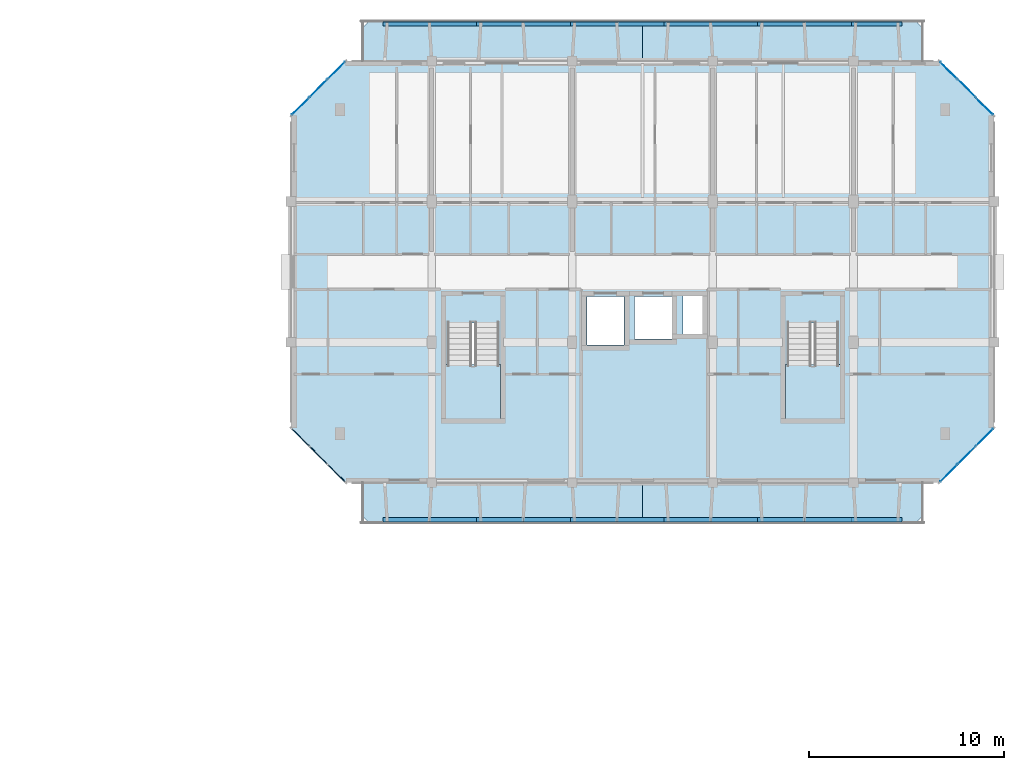
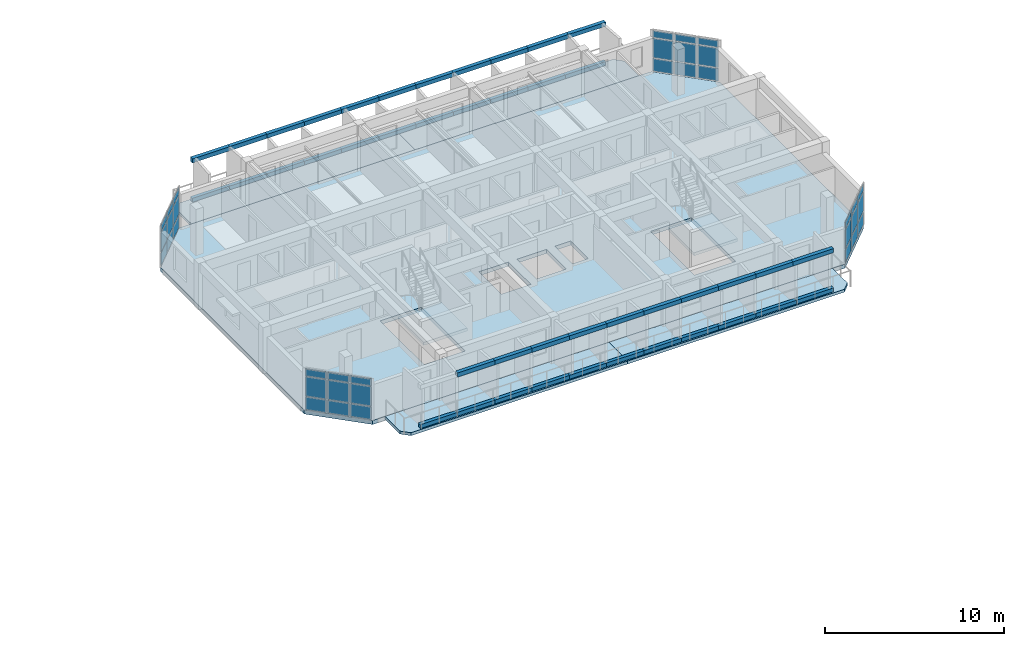
# One storey, part 14 of 40: 79 plates, 7 slabs, 6 elements without a shape of their own.
"""IFC4 building model written with IfcOpenShell, lengths in metres."""

from ifc_helpers import new_model, si_unit, direction, frame, origin, origin_2d, place, context, subcontext, project, spatial, polyline, rectangle, outline, extrude, material, layer, layer_set, type_object, element, aggregate, save


model = new_model("IFC4")

# Units and contexts
model_context = context("Model", 3, precision=1e-05, world=origin(), true_north=direction((0.0, 1.0)))
body_context = subcontext(model_context, "Body", "Model", "MODEL_VIEW")
ifc_project = project(units=[si_unit("LENGTHUNIT", "METRE"), si_unit("AREAUNIT", "SQUARE_METRE"), si_unit("VOLUMEUNIT", "CUBIC_METRE"), si_unit("PLANEANGLEUNIT", "RADIAN"), si_unit("MASSUNIT", "GRAM", prefix="KILO")], contexts=[model_context])

# Site, building, storey
site_placement = place(None, origin())
site = spatial("IfcSite", under=ifc_project, at=site_placement, CompositionType="ELEMENT")
building_placement = place(site_placement, origin())
building = spatial("IfcBuilding", under=site, at=building_placement, Name="Ochrevale Crest", CompositionType="ELEMENT")
storey_placement = place(building_placement, frame((0.0, 0.0, 27.60009765625)))
storey = spatial("IfcBuildingStorey", under=building, at=storey_placement, Name="L08", CompositionType="ELEMENT", Elevation=27.60009765625)

# Curtain wall, plates
ifc_material_1 = material(Name="Anodised aluminium 6063-T5", Category="aluminium")
ifc_layer_1 = layer(ifc_material_1, 0.14990234375)
ifc_layer_set_1 = layer_set([ifc_layer_1], Name="Anodised aluminium 6063-T5")
curtain_wall_type_1 = type_object("IfcCurtainWallType", Name="CW-WG-240x285", PredefinedType="NOTDEFINED", material=ifc_layer_set_1)
curtain_wall_1_placement = place(storey_placement, origin())
curtain_wall_1 = element("IfcCurtainWall", 1, at=curtain_wall_1_placement, inside=storey, type_object=curtain_wall_type_1, Name="Block D L08 chamfered corner wintergarden curtain wall 2", PredefinedType="NOTDEFINED")
ifc_material_2 = material(Name="Double-glazed low-E insulated glass unit", Category="glass")
ifc_layer_2 = layer(ifc_material_2, 0.028076171875)
ifc_layer_set_2 = layer_set([ifc_layer_2], Name="Double-glazed low-E insulated glass unit")
plate_type_1 = type_object("IfcPlateType", Name="CW-PNL-IGU28", PredefinedType="CURTAIN_PANEL", material=ifc_layer_set_2)
plate_1_placement = place(storey_placement, frame((163.280029296875, 72.47998046875, 0.06005859375), z_axis=(0.0, 0.0, 1.0), x_axis=(0.707106781187, 0.707106781187, 0.0)))
plate_1 = element("IfcPlate", 2, at=plate_1_placement, type_object=plate_type_1, Name="CW15 panel 1.1", PredefinedType="CURTAIN_PANEL", context=body_context, shape_type="SweptSolid", body=[
    extrude(rectangle(XDim=1.20751953125, YDim=0.028076171875, at=origin_2d()), origin(), (0.0, 0.0, 1.0), 0.860107421875),
])
plate_2_placement = place(storey_placement, frame((163.280029296875, 72.47998046875, 0.97998046875), z_axis=(0.0, 0.0, 1.0), x_axis=(0.707106781187, 0.707106781187, 0.0)))
plate_2 = element("IfcPlate", 3, at=plate_2_placement, type_object=plate_type_1, Name="CW15 panel 1.2", PredefinedType="CURTAIN_PANEL", context=body_context, shape_type="SweptSolid", body=[
    extrude(rectangle(XDim=1.20751953125, YDim=0.028076171875, at=origin_2d()), origin(), (0.0, 0.0, 1.0), 1.31494140625),
])
plate_3_placement = place(storey_placement, frame((163.280029296875, 72.47998046875, 2.35498046875), z_axis=(0.0, 0.0, 1.0), x_axis=(0.707106781187, 0.707106781187, 0.0)))
plate_3 = element("IfcPlate", 4, at=plate_3_placement, type_object=plate_type_1, Name="CW15 panel 1.3", PredefinedType="CURTAIN_PANEL", context=body_context, shape_type="SweptSolid", body=[
    extrude(rectangle(XDim=1.20751953125, YDim=0.028076171875, at=origin_2d()), origin(), (0.0, 0.0, 1.0), 0.4599609375),
])
plate_4_placement = place(storey_placement, frame((164.199951171875, 73.39990234375, 0.06005859375), z_axis=(0.0, 0.0, 1.0), x_axis=(0.707106781187, 0.707106781187, 0.0)))
plate_4 = element("IfcPlate", 5, at=plate_4_placement, type_object=plate_type_1, Name="CW15 panel 2.1", PredefinedType="CURTAIN_PANEL", context=body_context, shape_type="SweptSolid", body=[
    extrude(rectangle(XDim=1.244873046875, YDim=0.028076171875, at=origin_2d()), origin(), (0.0, 0.0, 1.0), 0.860107421875),
])
plate_5_placement = place(storey_placement, frame((164.199951171875, 73.39990234375, 0.97998046875), z_axis=(0.0, 0.0, 1.0), x_axis=(0.707106781187, 0.707106781187, 0.0)))
plate_5 = element("IfcPlate", 6, at=plate_5_placement, type_object=plate_type_1, Name="CW15 panel 2.2", PredefinedType="CURTAIN_PANEL", context=body_context, shape_type="SweptSolid", body=[
    extrude(rectangle(XDim=1.244873046875, YDim=0.028076171875, at=origin_2d()), origin(), (0.0, 0.0, 1.0), 1.31494140625),
])
plate_6_placement = place(storey_placement, frame((164.199951171875, 73.39990234375, 2.35498046875), z_axis=(0.0, 0.0, 1.0), x_axis=(0.707106781187, 0.707106781187, 0.0)))
plate_6 = element("IfcPlate", 7, at=plate_6_placement, type_object=plate_type_1, Name="CW15 panel 2.3", PredefinedType="CURTAIN_PANEL", context=body_context, shape_type="SweptSolid", body=[
    extrude(rectangle(XDim=1.244873046875, YDim=0.028076171875, at=origin_2d()), origin(), (0.0, 0.0, 1.0), 0.4599609375),
])
plate_7_placement = place(storey_placement, frame((165.1201171875, 74.320068359375, 0.06005859375), z_axis=(0.0, 0.0, 1.0), x_axis=(0.707106781187, 0.707106781187, 0.0)))
plate_7 = element("IfcPlate", 8, at=plate_7_placement, type_object=plate_type_1, Name="CW15 panel 3.1", PredefinedType="CURTAIN_PANEL", context=body_context, shape_type="SweptSolid", body=[
    extrude(rectangle(XDim=1.20751953125, YDim=0.028076171875, at=origin_2d()), origin(), (0.0, 0.0, 1.0), 0.860107421875),
])
plate_8_placement = place(storey_placement, frame((165.1201171875, 74.320068359375, 0.97998046875), z_axis=(0.0, 0.0, 1.0), x_axis=(0.707106781187, 0.707106781187, 0.0)))
plate_8 = element("IfcPlate", 9, at=plate_8_placement, type_object=plate_type_1, Name="CW15 panel 3.2", PredefinedType="CURTAIN_PANEL", context=body_context, shape_type="SweptSolid", body=[
    extrude(rectangle(XDim=1.20751953125, YDim=0.028076171875, at=origin_2d()), origin(), (0.0, 0.0, 1.0), 1.31494140625),
])
plate_9_placement = place(storey_placement, frame((165.1201171875, 74.320068359375, 2.35498046875), z_axis=(0.0, 0.0, 1.0), x_axis=(0.707106781187, 0.707106781187, 0.0)))
plate_9 = element("IfcPlate", 10, at=plate_9_placement, type_object=plate_type_1, Name="CW15 panel 3.3", PredefinedType="CURTAIN_PANEL", context=body_context, shape_type="SweptSolid", body=[
    extrude(rectangle(XDim=1.20751953125, YDim=0.028076171875, at=origin_2d()), origin(), (0.0, 0.0, 1.0), 0.4599609375),
])
aggregate(curtain_wall_1, [plate_1, plate_2, plate_3, plate_4, plate_5, plate_6, plate_7, plate_8, plate_9])

ifc_layer_3 = layer(ifc_material_1, 0.14990234375)
ifc_layer_set_3 = layer_set([ifc_layer_3], Name="Anodised aluminium 6063-T5")
curtain_wall_type_2 = type_object("IfcCurtainWallType", Name="CW-WG-320x285", PredefinedType="NOTDEFINED", material=ifc_layer_set_3)
curtain_wall_2_placement = place(storey_placement, origin())
curtain_wall_2 = element("IfcCurtainWall", 11, at=curtain_wall_2_placement, inside=storey, type_object=curtain_wall_type_2, Name="Block D L08 chamfered corner wintergarden curtain wall 4", PredefinedType="NOTDEFINED")
plate_10_placement = place(storey_placement, frame((165.1201171875, 91.280029296875, 0.06005859375), z_axis=(0.0, 0.0, 1.0), x_axis=(-0.707106781187, 0.707106781187, 0.0)))
plate_10 = element("IfcPlate", 12, at=plate_10_placement, type_object=plate_type_1, Name="CW17 panel 1.1", PredefinedType="CURTAIN_PANEL", context=body_context, shape_type="SweptSolid", body=[
    extrude(rectangle(XDim=1.20751953125, YDim=0.028076171875, at=origin_2d()), origin(), (0.0, 0.0, 1.0), 0.860107421875),
])
plate_11_placement = place(storey_placement, frame((165.1201171875, 91.280029296875, 0.97998046875), z_axis=(0.0, 0.0, 1.0), x_axis=(-0.707106781187, 0.707106781187, 0.0)))
plate_11 = element("IfcPlate", 13, at=plate_11_placement, type_object=plate_type_1, Name="CW17 panel 1.2", PredefinedType="CURTAIN_PANEL", context=body_context, shape_type="SweptSolid", body=[
    extrude(rectangle(XDim=1.20751953125, YDim=0.028076171875, at=origin_2d()), origin(), (0.0, 0.0, 1.0), 1.31494140625),
])
plate_12_placement = place(storey_placement, frame((165.1201171875, 91.280029296875, 2.35498046875), z_axis=(0.0, 0.0, 1.0), x_axis=(-0.707106781187, 0.707106781187, 0.0)))
plate_12 = element("IfcPlate", 14, at=plate_12_placement, type_object=plate_type_1, Name="CW17 panel 1.3", PredefinedType="CURTAIN_PANEL", context=body_context, shape_type="SweptSolid", body=[
    extrude(rectangle(XDim=1.20751953125, YDim=0.028076171875, at=origin_2d()), origin(), (0.0, 0.0, 1.0), 0.4599609375),
])
plate_13_placement = place(storey_placement, frame((164.199951171875, 92.199951171875, 0.06005859375), z_axis=(0.0, 0.0, 1.0), x_axis=(-0.707106781187, 0.707106781187, 0.0)))
plate_13 = element("IfcPlate", 15, at=plate_13_placement, type_object=plate_type_1, Name="CW17 panel 2.1", PredefinedType="CURTAIN_PANEL", context=body_context, shape_type="SweptSolid", body=[
    extrude(rectangle(XDim=1.244873046875, YDim=0.028076171875, at=origin_2d()), origin(), (0.0, 0.0, 1.0), 0.860107421875),
])
plate_14_placement = place(storey_placement, frame((164.199951171875, 92.199951171875, 0.97998046875), z_axis=(0.0, 0.0, 1.0), x_axis=(-0.707106781187, 0.707106781187, 0.0)))
plate_14 = element("IfcPlate", 16, at=plate_14_placement, type_object=plate_type_1, Name="CW17 panel 2.2", PredefinedType="CURTAIN_PANEL", context=body_context, shape_type="SweptSolid", body=[
    extrude(rectangle(XDim=1.244873046875, YDim=0.028076171875, at=origin_2d()), origin(), (0.0, 0.0, 1.0), 1.31494140625),
])
plate_15_placement = place(storey_placement, frame((164.199951171875, 92.199951171875, 2.35498046875), z_axis=(0.0, 0.0, 1.0), x_axis=(-0.707106781187, 0.707106781187, 0.0)))
plate_15 = element("IfcPlate", 17, at=plate_15_placement, type_object=plate_type_1, Name="CW17 panel 2.3", PredefinedType="CURTAIN_PANEL", context=body_context, shape_type="SweptSolid", body=[
    extrude(rectangle(XDim=1.244873046875, YDim=0.028076171875, at=origin_2d()), origin(), (0.0, 0.0, 1.0), 0.4599609375),
])
plate_16_placement = place(storey_placement, frame((163.280029296875, 93.1201171875, 0.06005859375), z_axis=(0.0, 0.0, 1.0), x_axis=(-0.707106781187, 0.707106781187, 0.0)))
plate_16 = element("IfcPlate", 18, at=plate_16_placement, type_object=plate_type_1, Name="CW17 panel 3.1", PredefinedType="CURTAIN_PANEL", context=body_context, shape_type="SweptSolid", body=[
    extrude(rectangle(XDim=1.20751953125, YDim=0.028076171875, at=origin_2d()), origin(), (0.0, 0.0, 1.0), 0.860107421875),
])
plate_17_placement = place(storey_placement, frame((163.280029296875, 93.1201171875, 0.97998046875), z_axis=(0.0, 0.0, 1.0), x_axis=(-0.707106781187, 0.707106781187, 0.0)))
plate_17 = element("IfcPlate", 19, at=plate_17_placement, type_object=plate_type_1, Name="CW17 panel 3.2", PredefinedType="CURTAIN_PANEL", context=body_context, shape_type="SweptSolid", body=[
    extrude(rectangle(XDim=1.20751953125, YDim=0.028076171875, at=origin_2d()), origin(), (0.0, 0.0, 1.0), 1.31494140625),
])
plate_18_placement = place(storey_placement, frame((163.280029296875, 93.1201171875, 2.35498046875), z_axis=(0.0, 0.0, 1.0), x_axis=(-0.707106781187, 0.707106781187, 0.0)))
plate_18 = element("IfcPlate", 20, at=plate_18_placement, type_object=plate_type_1, Name="CW17 panel 3.3", PredefinedType="CURTAIN_PANEL", context=body_context, shape_type="SweptSolid", body=[
    extrude(rectangle(XDim=1.20751953125, YDim=0.028076171875, at=origin_2d()), origin(), (0.0, 0.0, 1.0), 0.4599609375),
])
aggregate(curtain_wall_2, [plate_10, plate_11, plate_12, plate_13, plate_14, plate_15, plate_16, plate_17, plate_18])

ifc_layer_4 = layer(ifc_material_1, 0.14990234375)
ifc_layer_set_4 = layer_set([ifc_layer_4], Name="Anodised aluminium 6063-T5")
curtain_wall_type_3 = type_object("IfcCurtainWallType", Name="CW-WG-420x285", PredefinedType="NOTDEFINED", material=ifc_layer_set_4)
curtain_wall_3_placement = place(storey_placement, origin())
curtain_wall_3 = element("IfcCurtainWall", 21, at=curtain_wall_3_placement, inside=storey, type_object=curtain_wall_type_3, Name="Block D L08 chamfered corner wintergarden curtain wall 6", PredefinedType="NOTDEFINED")
plate_19_placement = place(storey_placement, frame((131.920166015625, 93.1201171875, 0.06005859375), z_axis=(0.0, 0.0, 1.0), x_axis=(-0.707106781187, -0.707106781187, 0.0)))
plate_19 = element("IfcPlate", 22, at=plate_19_placement, type_object=plate_type_1, Name="CW22 panel 1.1", PredefinedType="CURTAIN_PANEL", context=body_context, shape_type="SweptSolid", body=[
    extrude(rectangle(XDim=1.20751953125, YDim=0.028076171875, at=origin_2d()), origin(), (0.0, 0.0, 1.0), 0.860107421875),
])
plate_20_placement = place(storey_placement, frame((131.920166015625, 93.1201171875, 0.97998046875), z_axis=(0.0, 0.0, 1.0), x_axis=(-0.707106781187, -0.707106781187, 0.0)))
plate_20 = element("IfcPlate", 23, at=plate_20_placement, type_object=plate_type_1, Name="CW22 panel 1.2", PredefinedType="CURTAIN_PANEL", context=body_context, shape_type="SweptSolid", body=[
    extrude(rectangle(XDim=1.20751953125, YDim=0.028076171875, at=origin_2d()), origin(), (0.0, 0.0, 1.0), 1.31494140625),
])
plate_21_placement = place(storey_placement, frame((131.920166015625, 93.1201171875, 2.35498046875), z_axis=(0.0, 0.0, 1.0), x_axis=(-0.707106781187, -0.707106781187, 0.0)))
plate_21 = element("IfcPlate", 24, at=plate_21_placement, type_object=plate_type_1, Name="CW22 panel 1.3", PredefinedType="CURTAIN_PANEL", context=body_context, shape_type="SweptSolid", body=[
    extrude(rectangle(XDim=1.20751953125, YDim=0.028076171875, at=origin_2d()), origin(), (0.0, 0.0, 1.0), 0.4599609375),
])
plate_22_placement = place(storey_placement, frame((131.0, 92.199951171875, 0.06005859375), z_axis=(0.0, 0.0, 1.0), x_axis=(-0.707106781187, -0.707106781187, 0.0)))
plate_22 = element("IfcPlate", 25, at=plate_22_placement, type_object=plate_type_1, Name="CW22 panel 2.1", PredefinedType="CURTAIN_PANEL", context=body_context, shape_type="SweptSolid", body=[
    extrude(rectangle(XDim=1.244873046875, YDim=0.028076171875, at=origin_2d()), origin(), (0.0, 0.0, 1.0), 0.860107421875),
])
plate_23_placement = place(storey_placement, frame((131.0, 92.199951171875, 0.97998046875), z_axis=(0.0, 0.0, 1.0), x_axis=(-0.707106781187, -0.707106781187, 0.0)))
plate_23 = element("IfcPlate", 26, at=plate_23_placement, type_object=plate_type_1, Name="CW22 panel 2.2", PredefinedType="CURTAIN_PANEL", context=body_context, shape_type="SweptSolid", body=[
    extrude(rectangle(XDim=1.244873046875, YDim=0.028076171875, at=origin_2d()), origin(), (0.0, 0.0, 1.0), 1.31494140625),
])
plate_24_placement = place(storey_placement, frame((131.0, 92.199951171875, 2.35498046875), z_axis=(0.0, 0.0, 1.0), x_axis=(-0.707106781187, -0.707106781187, 0.0)))
plate_24 = element("IfcPlate", 27, at=plate_24_placement, type_object=plate_type_1, Name="CW22 panel 2.3", PredefinedType="CURTAIN_PANEL", context=body_context, shape_type="SweptSolid", body=[
    extrude(rectangle(XDim=1.244873046875, YDim=0.028076171875, at=origin_2d()), origin(), (0.0, 0.0, 1.0), 0.4599609375),
])
plate_25_placement = place(storey_placement, frame((130.079833984375, 91.280029296875, 0.06005859375), z_axis=(0.0, 0.0, 1.0), x_axis=(-0.707106781187, -0.707106781187, 0.0)))
plate_25 = element("IfcPlate", 28, at=plate_25_placement, type_object=plate_type_1, Name="CW22 panel 3.1", PredefinedType="CURTAIN_PANEL", context=body_context, shape_type="SweptSolid", body=[
    extrude(rectangle(XDim=1.20751953125, YDim=0.028076171875, at=origin_2d()), origin(), (0.0, 0.0, 1.0), 0.860107421875),
])
plate_26_placement = place(storey_placement, frame((130.079833984375, 91.280029296875, 0.97998046875), z_axis=(0.0, 0.0, 1.0), x_axis=(-0.707106781187, -0.707106781187, 0.0)))
plate_26 = element("IfcPlate", 29, at=plate_26_placement, type_object=plate_type_1, Name="CW22 panel 3.2", PredefinedType="CURTAIN_PANEL", context=body_context, shape_type="SweptSolid", body=[
    extrude(rectangle(XDim=1.20751953125, YDim=0.028076171875, at=origin_2d()), origin(), (0.0, 0.0, 1.0), 1.31494140625),
])
plate_27_placement = place(storey_placement, frame((130.079833984375, 91.280029296875, 2.35498046875), z_axis=(0.0, 0.0, 1.0), x_axis=(-0.707106781187, -0.707106781187, 0.0)))
plate_27 = element("IfcPlate", 30, at=plate_27_placement, type_object=plate_type_1, Name="CW22 panel 3.3", PredefinedType="CURTAIN_PANEL", context=body_context, shape_type="SweptSolid", body=[
    extrude(rectangle(XDim=1.20751953125, YDim=0.028076171875, at=origin_2d()), origin(), (0.0, 0.0, 1.0), 0.4599609375),
])
aggregate(curtain_wall_3, [plate_19, plate_20, plate_21, plate_22, plate_23, plate_24, plate_25, plate_26, plate_27])

ifc_layer_5 = layer(ifc_material_1, 0.14990234375)
ifc_layer_set_5 = layer_set([ifc_layer_5], Name="Anodised aluminium 6063-T5")
curtain_wall_type_4 = type_object("IfcCurtainWallType", Name="CW-WG-280x285", PredefinedType="NOTDEFINED", material=ifc_layer_set_5)
curtain_wall_4_placement = place(storey_placement, origin())
curtain_wall_4 = element("IfcCurtainWall", 31, at=curtain_wall_4_placement, inside=storey, type_object=curtain_wall_type_4, Name="Block D L08 chamfered corner wintergarden curtain wall 8", PredefinedType="NOTDEFINED")
ifc_material_3 = material(Name="Acoustic laminated low-E insulated glass unit", Category="glass")
ifc_layer_6 = layer(ifc_material_3, 0.0380859375)
ifc_layer_set_6 = layer_set([ifc_layer_6], Name="Acoustic laminated low-E insulated glass unit")
plate_type_2 = type_object("IfcPlateType", Name="CW-PNL-IGU38", PredefinedType="CURTAIN_PANEL", material=ifc_layer_set_6)
plate_28_placement = place(storey_placement, frame((130.079833984375, 74.320068359375, 0.06005859375), z_axis=(0.0, 0.0, 1.0), x_axis=(0.707106781187, -0.707106781187, 0.0)))
plate_28 = element("IfcPlate", 32, at=plate_28_placement, type_object=plate_type_2, Name="CW16 panel 1.1", PredefinedType="CURTAIN_PANEL", context=body_context, shape_type="SweptSolid", body=[
    extrude(rectangle(XDim=1.20751953125, YDim=0.0380859375, at=origin_2d()), origin(), (0.0, 0.0, 1.0), 0.860107421875),
])
plate_29_placement = place(storey_placement, frame((130.079833984375, 74.320068359375, 0.97998046875), z_axis=(0.0, 0.0, 1.0), x_axis=(0.707106781187, -0.707106781187, 0.0)))
plate_29 = element("IfcPlate", 33, at=plate_29_placement, type_object=plate_type_2, Name="CW16 panel 1.2", PredefinedType="CURTAIN_PANEL", context=body_context, shape_type="SweptSolid", body=[
    extrude(rectangle(XDim=1.20751953125, YDim=0.0380859375, at=origin_2d()), origin(), (0.0, 0.0, 1.0), 1.31494140625),
])
plate_30_placement = place(storey_placement, frame((130.079833984375, 74.320068359375, 2.35498046875), z_axis=(0.0, 0.0, 1.0), x_axis=(0.707106781187, -0.707106781187, 0.0)))
plate_30 = element("IfcPlate", 34, at=plate_30_placement, type_object=plate_type_2, Name="CW16 panel 1.3", PredefinedType="CURTAIN_PANEL", context=body_context, shape_type="SweptSolid", body=[
    extrude(rectangle(XDim=1.20751953125, YDim=0.0380859375, at=origin_2d()), origin(), (0.0, 0.0, 1.0), 0.4599609375),
])
plate_31_placement = place(storey_placement, frame((131.0, 73.39990234375, 0.06005859375), z_axis=(0.0, 0.0, 1.0), x_axis=(0.707106781187, -0.707106781187, 0.0)))
plate_31 = element("IfcPlate", 35, at=plate_31_placement, type_object=plate_type_2, Name="CW16 panel 2.1", PredefinedType="CURTAIN_PANEL", context=body_context, shape_type="SweptSolid", body=[
    extrude(rectangle(XDim=1.244873046875, YDim=0.0380859375, at=origin_2d()), origin(), (0.0, 0.0, 1.0), 0.860107421875),
])
plate_32_placement = place(storey_placement, frame((131.0, 73.39990234375, 0.97998046875), z_axis=(0.0, 0.0, 1.0), x_axis=(0.707106781187, -0.707106781187, 0.0)))
plate_32 = element("IfcPlate", 36, at=plate_32_placement, type_object=plate_type_2, Name="CW16 panel 2.2", PredefinedType="CURTAIN_PANEL", context=body_context, shape_type="SweptSolid", body=[
    extrude(rectangle(XDim=1.244873046875, YDim=0.0380859375, at=origin_2d()), origin(), (0.0, 0.0, 1.0), 1.31494140625),
])
plate_33_placement = place(storey_placement, frame((131.0, 73.39990234375, 2.35498046875), z_axis=(0.0, 0.0, 1.0), x_axis=(0.707106781187, -0.707106781187, 0.0)))
plate_33 = element("IfcPlate", 37, at=plate_33_placement, type_object=plate_type_2, Name="CW16 panel 2.3", PredefinedType="CURTAIN_PANEL", context=body_context, shape_type="SweptSolid", body=[
    extrude(rectangle(XDim=1.244873046875, YDim=0.0380859375, at=origin_2d()), origin(), (0.0, 0.0, 1.0), 0.4599609375),
])
plate_34_placement = place(storey_placement, frame((131.920166015625, 72.47998046875, 0.06005859375), z_axis=(0.0, 0.0, 1.0), x_axis=(0.707106781187, -0.707106781187, 0.0)))
plate_34 = element("IfcPlate", 38, at=plate_34_placement, type_object=plate_type_2, Name="CW16 panel 3.1", PredefinedType="CURTAIN_PANEL", context=body_context, shape_type="SweptSolid", body=[
    extrude(rectangle(XDim=1.20751953125, YDim=0.0380859375, at=origin_2d()), origin(), (0.0, 0.0, 1.0), 0.860107421875),
])
plate_35_placement = place(storey_placement, frame((131.920166015625, 72.47998046875, 0.97998046875), z_axis=(0.0, 0.0, 1.0), x_axis=(0.707106781187, -0.707106781187, 0.0)))
plate_35 = element("IfcPlate", 39, at=plate_35_placement, type_object=plate_type_2, Name="CW16 panel 3.2", PredefinedType="CURTAIN_PANEL", context=body_context, shape_type="SweptSolid", body=[
    extrude(rectangle(XDim=1.20751953125, YDim=0.0380859375, at=origin_2d()), origin(), (0.0, 0.0, 1.0), 1.31494140625),
])
plate_36_placement = place(storey_placement, frame((131.920166015625, 72.47998046875, 2.35498046875), z_axis=(0.0, 0.0, 1.0), x_axis=(0.707106781187, -0.707106781187, 0.0)))
plate_36 = element("IfcPlate", 40, at=plate_36_placement, type_object=plate_type_2, Name="CW16 panel 3.3", PredefinedType="CURTAIN_PANEL", context=body_context, shape_type="SweptSolid", body=[
    extrude(rectangle(XDim=1.20751953125, YDim=0.0380859375, at=origin_2d()), origin(), (0.0, 0.0, 1.0), 0.4599609375),
])
aggregate(curtain_wall_4, [plate_28, plate_29, plate_30, plate_31, plate_32, plate_33, plate_34, plate_35, plate_36])

# Plates
ifc_material_4 = material(Name="Precast concrete C40/50", Category="concrete")
ifc_layer_7 = layer(ifc_material_4, 0.06005859375)
ifc_layer_set_7 = layer_set([ifc_layer_7], Name="Precast concrete C40/50")
plate_type_3 = type_object("IfcPlateType", Name="PLT-HC-HEAD-60", PredefinedType="USERDEFINED", material=ifc_layer_set_7)
for number, where, z_axis, x_axis, name in (
    (41, (138.0, 70.10009765625, 2.669921875), (0.0, 0.0, 1.0), (1.0, 0.0, 0.0), "Block D L08 S honeycomb arched lintel fascia 2"),
    (42, (140.39990234375, 70.10009765625, 2.669921875), (0.0, 0.0, 1.0), (1.0, 0.0, 0.0), "Block D L08 S honeycomb arched lintel fascia 3"),
    (43, (142.800048828125, 70.10009765625, 2.669921875), (0.0, 0.0, 1.0), (1.0, 0.0, 0.0), "Block D L08 S honeycomb arched lintel fascia 4"),
    (44, (145.199951171875, 70.10009765625, 2.669921875), (0.0, 0.0, 1.0), (1.0, 0.0, 0.0), "Block D L08 S honeycomb arched lintel fascia 5"),
    (45, (147.60009765625, 70.10009765625, 2.669921875), (0.0, 0.0, 1.0), (1.0, 0.0, 0.0), "Block D L08 S honeycomb arched lintel fascia 6"),
    (46, (150.0, 70.10009765625, 2.669921875), (0.0, 0.0, 1.0), (1.0, 0.0, 0.0), "Block D L08 S honeycomb arched lintel fascia 7"),
    (47, (152.39990234375, 70.10009765625, 2.669921875), (0.0, 0.0, 1.0), (1.0, 0.0, 0.0), "Block D L08 S honeycomb arched lintel fascia 8"),
    (48, (154.800048828125, 70.10009765625, 2.669921875), (0.0, 0.0, 1.0), (1.0, 0.0, 0.0), "Block D L08 S honeycomb arched lintel fascia 9"),
    (49, (157.199951171875, 70.10009765625, 2.669921875), (0.0, 0.0, 1.0), (1.0, 0.0, 0.0), "Block D L08 S honeycomb arched lintel fascia 10"),
    (50, (159.60009765625, 70.10009765625, 2.669921875), (0.0, 0.0, 1.0), (1.0, 0.0, 0.0), "Block D L08 S honeycomb arched lintel fascia 11"),
    (51, (135.60009765625, 95.5, 2.669921875), (0.0, 0.0, 1.0), (1.0, 0.0, 0.0), "Block D L08 N honeycomb arched lintel fascia 1"),
    (52, (138.0, 95.5, 2.669921875), (0.0, 0.0, 1.0), (1.0, 0.0, 0.0), "Block D L08 N honeycomb arched lintel fascia 2"),
    (53, (140.39990234375, 95.5, 2.669921875), (0.0, 0.0, 1.0), (1.0, 0.0, 0.0), "Block D L08 N honeycomb arched lintel fascia 3"),
    (54, (142.800048828125, 95.5, 2.669921875), (0.0, 0.0, 1.0), (1.0, 0.0, 0.0), "Block D L08 N honeycomb arched lintel fascia 4"),
    (55, (145.199951171875, 95.5, 2.669921875), (0.0, 0.0, 1.0), (1.0, 0.0, 0.0), "Block D L08 N honeycomb arched lintel fascia 5"),
    (56, (147.60009765625, 95.5, 2.669921875), (0.0, 0.0, 1.0), (1.0, 0.0, 0.0), "Block D L08 N honeycomb arched lintel fascia 6"),
    (57, (150.0, 95.5, 2.669921875), (0.0, 0.0, 1.0), (1.0, 0.0, 0.0), "Block D L08 N honeycomb arched lintel fascia 7"),
    (58, (152.39990234375, 95.5, 2.669921875), (0.0, 0.0, 1.0), (1.0, 0.0, 0.0), "Block D L08 N honeycomb arched lintel fascia 8"),
    (59, (154.800048828125, 95.5, 2.669921875), (0.0, 0.0, 1.0), (1.0, 0.0, 0.0), "Block D L08 N honeycomb arched lintel fascia 9"),
    (60, (157.199951171875, 95.5, 2.669921875), (0.0, 0.0, 1.0), (1.0, 0.0, 0.0), "Block D L08 N honeycomb arched lintel fascia 10"),
    (61, (159.60009765625, 95.5, 2.669921875), (0.0, 0.0, 1.0), (1.0, 0.0, 0.0), "Block D L08 N honeycomb arched lintel fascia 11"),
):
    element("IfcPlate", number, at=place(storey_placement, frame(where, z_axis=z_axis, x_axis=x_axis)), inside=storey, type_object=plate_type_3, Name=name, ObjectType="FACADE FASCIA PLATE", PredefinedType="USERDEFINED", context=body_context, shape_type="SweptSolid", body=[
        extrude(rectangle(XDim=2.60009765625, YDim=0.239990234375, at=origin_2d()), origin(), (0.0, 0.0, 1.0), 0.280029296875),
    ])
ifc_layer_8 = layer(ifc_material_4, 0.044921875)
ifc_layer_set_8 = layer_set([ifc_layer_8], Name="Precast concrete C40/50")
plate_type_4 = type_object("IfcPlateType", Name="PLT-HC-SILL-45", PredefinedType="USERDEFINED", material=ifc_layer_set_8)
for number, where, z_axis, x_axis, name in (
    (62, (135.60009765625, 70.10009765625, 0.0), (0.0, 0.0, 1.0), (1.0, 0.0, 0.0), "Block D L08 S honeycomb sill coping plate 1"),
    (63, (138.0, 70.10009765625, 0.0), (0.0, 0.0, 1.0), (1.0, 0.0, 0.0), "Block D L08 S honeycomb sill coping plate 2"),
    (64, (140.39990234375, 70.10009765625, 0.0), (0.0, 0.0, 1.0), (1.0, 0.0, 0.0), "Block D L08 S honeycomb sill coping plate 3"),
    (65, (142.800048828125, 70.10009765625, 0.0), (0.0, 0.0, 1.0), (1.0, 0.0, 0.0), "Block D L08 S honeycomb sill coping plate 4"),
    (66, (145.199951171875, 70.10009765625, 0.0), (0.0, 0.0, 1.0), (1.0, 0.0, 0.0), "Block D L08 S honeycomb sill coping plate 5"),
    (67, (147.60009765625, 70.10009765625, 0.0), (0.0, 0.0, 1.0), (1.0, 0.0, 0.0), "Block D L08 S honeycomb sill coping plate 6"),
    (68, (150.0, 70.10009765625, 0.0), (0.0, 0.0, 1.0), (1.0, 0.0, 0.0), "Block D L08 S honeycomb sill coping plate 7"),
    (69, (152.39990234375, 70.10009765625, 0.0), (0.0, 0.0, 1.0), (1.0, 0.0, 0.0), "Block D L08 S honeycomb sill coping plate 8"),
    (70, (154.800048828125, 70.10009765625, 0.0), (0.0, 0.0, 1.0), (1.0, 0.0, 0.0), "Block D L08 S honeycomb sill coping plate 9"),
    (71, (157.199951171875, 70.10009765625, 0.0), (0.0, 0.0, 1.0), (1.0, 0.0, 0.0), "Block D L08 S honeycomb sill coping plate 10"),
    (72, (159.60009765625, 70.10009765625, 0.0), (0.0, 0.0, 1.0), (1.0, 0.0, 0.0), "Block D L08 S honeycomb sill coping plate 11"),
    (73, (135.60009765625, 95.5, 0.0), (0.0, 0.0, 1.0), (1.0, 0.0, 0.0), "Block D L08 N honeycomb sill coping plate 1"),
    (74, (138.0, 95.5, 0.0), (0.0, 0.0, 1.0), (1.0, 0.0, 0.0), "Block D L08 N honeycomb sill coping plate 2"),
    (75, (140.39990234375, 95.5, 0.0), (0.0, 0.0, 1.0), (1.0, 0.0, 0.0), "Block D L08 N honeycomb sill coping plate 3"),
    (76, (142.800048828125, 95.5, 0.0), (0.0, 0.0, 1.0), (1.0, 0.0, 0.0), "Block D L08 N honeycomb sill coping plate 4"),
    (77, (145.199951171875, 95.5, 0.0), (0.0, 0.0, 1.0), (1.0, 0.0, 0.0), "Block D L08 N honeycomb sill coping plate 5"),
    (78, (147.60009765625, 95.5, 0.0), (0.0, 0.0, 1.0), (1.0, 0.0, 0.0), "Block D L08 N honeycomb sill coping plate 6"),
    (79, (150.0, 95.5, 0.0), (0.0, 0.0, 1.0), (1.0, 0.0, 0.0), "Block D L08 N honeycomb sill coping plate 7"),
    (80, (152.39990234375, 95.5, 0.0), (0.0, 0.0, 1.0), (1.0, 0.0, 0.0), "Block D L08 N honeycomb sill coping plate 8"),
    (81, (154.800048828125, 95.5, 0.0), (0.0, 0.0, 1.0), (1.0, 0.0, 0.0), "Block D L08 N honeycomb sill coping plate 9"),
    (82, (157.199951171875, 95.5, 0.0), (0.0, 0.0, 1.0), (1.0, 0.0, 0.0), "Block D L08 N honeycomb sill coping plate 10"),
    (83, (159.60009765625, 95.5, 0.0), (0.0, 0.0, 1.0), (1.0, 0.0, 0.0), "Block D L08 N honeycomb sill coping plate 11"),
):
    element("IfcPlate", number, at=place(storey_placement, frame(where, z_axis=z_axis, x_axis=x_axis)), inside=storey, type_object=plate_type_4, Name=name, ObjectType="SILL COPING PLATE", PredefinedType="USERDEFINED", context=body_context, shape_type="SweptSolid", body=[
        extrude(rectangle(XDim=2.60009765625, YDim=0.219970703125, at=origin_2d()), origin(), (0.0, 0.0, 1.0), 0.260009765625),
    ])

# Slabs
ifc_layer_9 = layer(ifc_material_4, 0.199951171875)
ifc_layer_set_9 = layer_set([ifc_layer_9], Name="Precast concrete C40/50")
slab_type_1 = type_object("IfcSlabType", Name="SLB-BAL-200", PredefinedType="FLOOR", material=ifc_layer_set_9)
slab_1_placement = place(storey_placement, frame((0.0, 0.0, -0.2001953125)))
element("IfcSlab", 84, at=slab_1_placement, inside=storey, type_object=slab_type_1, Name="Block D L08 S1 precast loggia balcony slab", PredefinedType="FLOOR", context=body_context, shape_type="SweptSolid", body=[
    extrude(outline(polyline([(133.64990234375, 69.89990234375), (147.60009765625, 69.89990234375), (147.60009765625, 72.0), (133.199951171875, 72.0), (133.199951171875, 70.35009765625), (133.64990234375, 69.89990234375)])), origin(), (0.0, 0.0, 1.0), 0.2001953125),
])
slab_2_placement = place(storey_placement, frame((0.0, 0.0, -0.2001953125)))
element("IfcSlab", 85, at=slab_2_placement, inside=storey, type_object=slab_type_1, Name="Block D L08 S2 precast loggia balcony slab", PredefinedType="FLOOR", context=body_context, shape_type="SweptSolid", body=[
    extrude(outline(polyline([(147.60009765625, 69.89990234375), (161.550048828125, 69.89990234375), (162.0, 70.35009765625), (162.0, 72.0), (147.60009765625, 72.0), (147.60009765625, 69.89990234375)])), origin(), (0.0, 0.0, 1.0), 0.2001953125),
])
slab_3_placement = place(storey_placement, frame((0.0, 0.0, -0.2001953125)))
element("IfcSlab", 86, at=slab_3_placement, inside=storey, type_object=slab_type_1, Name="Block D L08 N1 precast loggia balcony slab", PredefinedType="FLOOR", context=body_context, shape_type="SweptSolid", body=[
    extrude(outline(polyline([(133.199951171875, 93.60009765625), (147.60009765625, 93.60009765625), (147.60009765625, 95.699951171875), (133.64990234375, 95.699951171875), (133.199951171875, 95.25), (133.199951171875, 93.60009765625)])), origin(), (0.0, 0.0, 1.0), 0.2001953125),
])
slab_4_placement = place(storey_placement, frame((0.0, 0.0, -0.2001953125)))
element("IfcSlab", 87, at=slab_4_placement, inside=storey, type_object=slab_type_1, Name="Block D L08 N2 precast loggia balcony slab", PredefinedType="FLOOR", context=body_context, shape_type="SweptSolid", body=[
    extrude(outline(polyline([(147.60009765625, 93.60009765625), (162.0, 93.60009765625), (162.0, 95.25), (161.550048828125, 95.699951171875), (147.60009765625, 95.699951171875), (147.60009765625, 93.60009765625)])), origin(), (0.0, 0.0, 1.0), 0.2001953125),
])
ifc_layer_10 = layer(ifc_material_4, 0.27490234375)
ifc_layer_set_10 = layer_set([ifc_layer_10], Name="Precast concrete C40/50")
slab_type_2 = type_object("IfcSlabType", Name="SLB-RES-275", PredefinedType="FLOOR", material=ifc_layer_set_10)
slab_5_placement = place(storey_placement, frame((0.0, 0.0, -0.275146484375)))
element("IfcSlab", 88, at=slab_5_placement, inside=storey, type_object=slab_type_2, Name="Block D L08 composite hollowcore floor slab", PredefinedType="FLOOR", context=body_context, shape_type="SweptSolid", body=[
    extrude(outline(polyline([(132.39990234375, 72.0), (162.800048828125, 72.0), (165.60009765625, 74.800048828125), (165.60009765625, 90.800048828125), (162.800048828125, 93.60009765625), (132.39990234375, 93.60009765625), (129.60009765625, 90.800048828125), (129.60009765625, 74.800048828125), (132.39990234375, 72.0)]), holes=[polyline([(137.60009765625, 80.175048828125), (137.60009765625, 75.27490234375), (140.25, 75.27490234375), (140.25, 80.175048828125), (137.60009765625, 80.175048828125)]), polyline([(155.0, 80.175048828125), (155.0, 75.27490234375), (157.64990234375, 75.27490234375), (157.64990234375, 80.175048828125), (155.0, 80.175048828125)]), polyline([(144.75, 79.050048828125), (146.64990234375, 79.050048828125), (146.64990234375, 81.550048828125), (144.75, 81.550048828125), (144.75, 79.050048828125)]), polyline([(147.199951171875, 79.35009765625), (149.10009765625, 79.35009765625), (149.10009765625, 81.550048828125), (147.199951171875, 81.550048828125), (147.199951171875, 79.35009765625)]), polyline([(149.669921875, 79.6201171875), (150.679931640625, 79.6201171875), (150.679931640625, 81.580078125), (149.669921875, 81.580078125), (149.669921875, 79.6201171875)])]), origin(), (0.0, 0.0, 1.0), 0.275146484375),
])

# Stair, slab
stair_type = type_object("IfcStairType", Name="ST-CORE-DOG", PredefinedType="HALF_TURN_STAIR", material=ifc_material_4)
stair_1_placement = place(storey_placement, origin())
stair_1 = element("IfcStair", 89, at=stair_1_placement, inside=storey, type_object=stair_type, Name="L08 Block D Fire Stair 1", PredefinedType="HALF_TURN_STAIR")
ifc_layer_11 = layer(ifc_material_4, 0.199951171875)
ifc_layer_set_11 = layer_set([ifc_layer_11], Name="Precast concrete C40/50")
slab_type_3 = type_object("IfcSlabType", Name="SLB-ST-LAND", PredefinedType="LANDING", material=ifc_layer_set_11)
slab_6_placement = place(storey_placement, frame((0.0, 0.0, 1.375)))
slab_6 = element("IfcSlab", 90, at=slab_6_placement, type_object=slab_type_3, Name="ST-D1 landing 1", PredefinedType="LANDING", context=body_context, shape_type="SweptSolid", body=[
    extrude(outline(polyline([(137.52001953125, 78.06494140625), (137.52001953125, 75.195068359375), (140.330078125, 75.195068359375), (140.330078125, 78.06494140625), (137.52001953125, 78.06494140625)])), origin(), (0.0, 0.0, 1.0), 0.199951171875),
])
aggregate(stair_1, [slab_6])

stair_2_placement = place(storey_placement, origin())
stair_2 = element("IfcStair", 91, at=stair_2_placement, inside=storey, type_object=stair_type, Name="L08 Block D Fire Stair 2", PredefinedType="HALF_TURN_STAIR")
slab_7_placement = place(storey_placement, frame((0.0, 0.0, 1.375)))
slab_7 = element("IfcSlab", 92, at=slab_7_placement, type_object=slab_type_3, Name="ST-D2 landing 1", PredefinedType="LANDING", context=body_context, shape_type="SweptSolid", body=[
    extrude(outline(polyline([(154.919921875, 78.06494140625), (154.919921875, 75.195068359375), (157.72998046875, 75.195068359375), (157.72998046875, 78.06494140625), (154.919921875, 78.06494140625)])), origin(), (0.0, 0.0, 1.0), 0.199951171875),
])
aggregate(stair_2, [slab_7])

save(model, "model.ifc")
